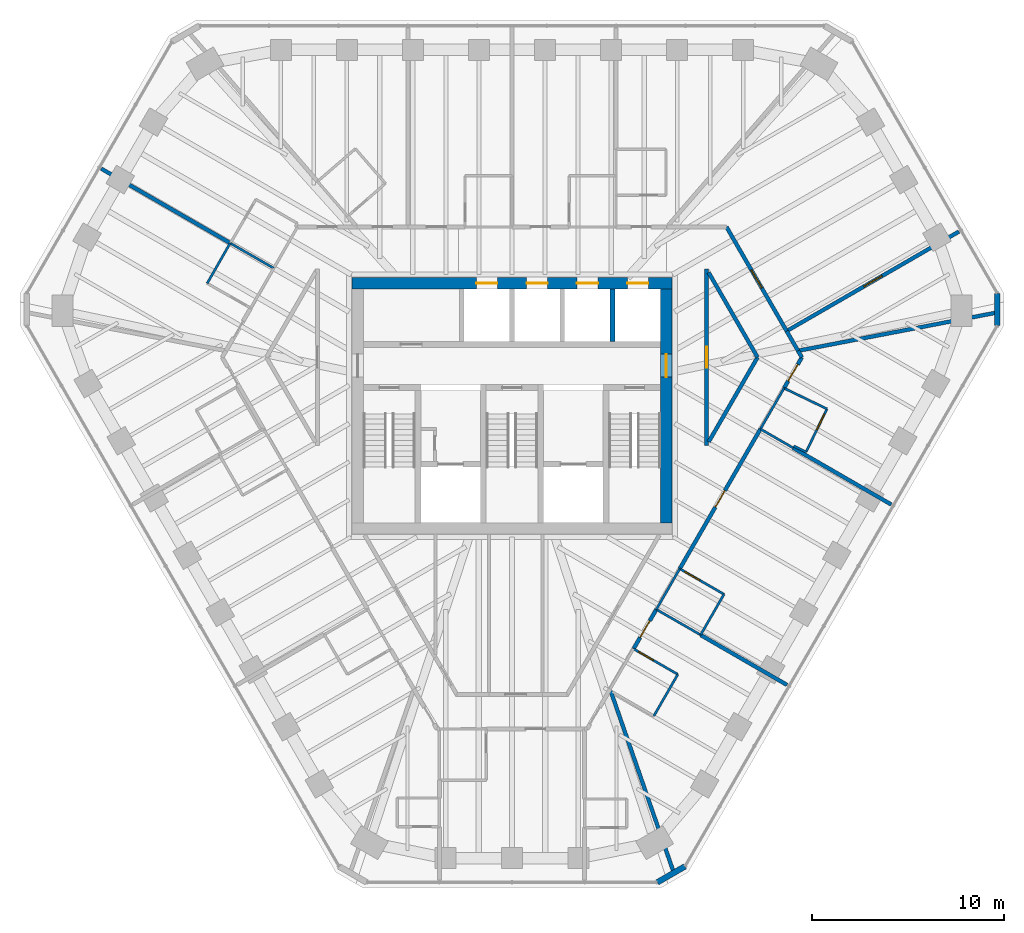
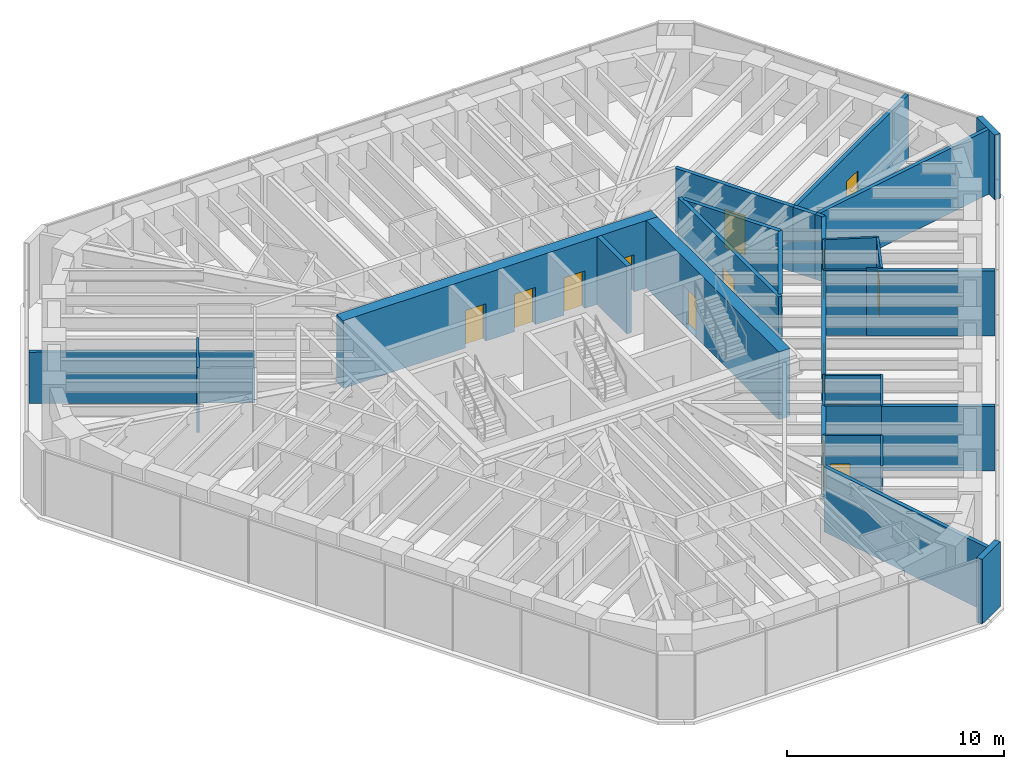
# One storey, part 11 of 14: 33 walls, 14 doors, 14 openings.
"""IFC4 building model written with IfcOpenShell, lengths in metres."""

from ifc_helpers import new_model, si_unit, direction, frame, frame_2d, origin, place, context, subcontext, project, spatial, rectangle, extrude, material, layer, layer_set, type_object, element, fill, save


model = new_model("IFC4")

# Units and contexts
model_context = context("Model", 3, precision=1e-05, world=origin(), true_north=direction((0.0, 1.0)))
body_context = subcontext(model_context, "Body", "Model", "MODEL_VIEW")
ifc_project = project(units=[si_unit("LENGTHUNIT", "METRE"), si_unit("AREAUNIT", "SQUARE_METRE"), si_unit("VOLUMEUNIT", "CUBIC_METRE"), si_unit("PLANEANGLEUNIT", "RADIAN"), si_unit("MASSUNIT", "GRAM", prefix="KILO")], contexts=[model_context])

# Site, building, storey
site_placement = place(None, origin())
site = spatial("IfcSite", under=ifc_project, at=site_placement, CompositionType="ELEMENT")
building_placement = place(site_placement, origin())
building = spatial("IfcBuilding", under=site, at=building_placement, Name="Sandreach Pilgrim Tower", CompositionType="ELEMENT")
storey_placement = place(building_placement, frame((0.0, 0.0, 291.199951171875)))
storey = spatial("IfcBuildingStorey", under=building, at=storey_placement, Name="L73", CompositionType="ELEMENT", Elevation=291.199951171875)

# Walls
ifc_material_1 = material(Name="Moisture-resistant gypsum board on steel studs", Category="steel")
ifc_layer_1 = layer(ifc_material_1, 0.1201171875)
ifc_layer_set_1 = layer_set([ifc_layer_1], Name="Bathroom partition 120")
wall_type_1 = type_object("IfcWallType", Name="Bathroom partition 120", PredefinedType="PARTITIONING", material=ifc_layer_set_1)
wall_1_placement = place(storey_placement, frame((-14.699951171875, 8.489990234375, 0.0), z_axis=(0.0, 0.0, 1.0), x_axis=(-0.496106327528, -0.868261776072, 0.0)))
element("IfcWall", 1, at=wall_1_placement, inside=storey, type_object=wall_type_1, Name="Bathroom partition L73-013", PredefinedType="PARTITIONING", context=body_context, shape_type="SweptSolid", body=[
    extrude(rectangle(XDim=2.418701171875, YDim=0.1201171875, at=frame_2d((1.20947265625, 0.0))), origin(), (0.0, 0.0, 1.0), 3.64013671875),
])
wall_2_placement = place(storey_placement, frame((-14.68994140625, 8.47998046875, 0.0), z_axis=(0.0, 0.0, 1.0), x_axis=(0.866816256489, -0.498627694264, 0.0)))
element("IfcWall", 2, at=wall_2_placement, inside=storey, type_object=wall_type_1, Name="Bathroom partition L73-014", PredefinedType="PARTITIONING", context=body_context, shape_type="SweptSolid", body=[
    extrude(rectangle(XDim=2.607177734375, YDim=0.1201171875, at=frame_2d((1.3037109375, 0.0))), origin(), (0.0, 0.0, 1.0), 2.8779296875),
])
wall_3_placement = place(storey_placement, frame((7.39990234375, -16.179931640625, 0.0), z_axis=(0.0, 0.0, 1.0), x_axis=(0.499159685399, 0.866510016372, 0.0)))
element("IfcWall", 3, at=wall_3_placement, inside=storey, type_object=wall_type_1, Name="Bathroom partition L73-091", PredefinedType="PARTITIONING", context=body_context, shape_type="SweptSolid", body=[
    extrude(rectangle(XDim=2.504150390625, YDim=0.1201171875, at=frame_2d((1.251953125, 0.0))), origin(), (0.0, 0.0, 1.0), 3.64013671875),
])
wall_4_placement = place(storey_placement, frame((7.530029296875, -10.6201171875, 0.0), z_axis=(0.0, 0.0, 1.0), x_axis=(0.498748634132, 0.866746675766, 0.0)))
element("IfcWall", 4, at=wall_4_placement, inside=storey, type_object=wall_type_1, Name="Bathroom partition L73-092", PredefinedType="PARTITIONING", context=body_context, shape_type="SweptSolid", body=[
    extrude(rectangle(XDim=2.446044921875, YDim=0.1201171875, at=frame_2d((1.22314453125, 0.0))), origin(), (0.0, 0.0, 1.0), 3.64013671875),
])
wall_5_placement = place(storey_placement, frame((7.530029296875, -10.6201171875, 0.0), z_axis=(0.0, 0.0, 1.0), x_axis=(0.866654860089, -0.498908161372, 0.0)))
element("IfcWall", 5, at=wall_5_placement, inside=storey, type_object=wall_type_1, Name="Bathroom partition L73-093", PredefinedType="PARTITIONING", context=body_context, shape_type="SweptSolid", body=[
    extrude(rectangle(XDim=2.66552734375, YDim=0.1201171875, at=frame_2d((1.332763671875, 0.0))), origin(), (0.0, 0.0, 1.0), 3.64013671875),
])

# Wall, opening, door
wall_6_placement = place(storey_placement, frame((8.64990234375, -14.010009765625, 0.0), z_axis=(0.0, 0.0, 1.0), x_axis=(-0.866592449628, 0.499016559092, 0.0)))
wall_6 = element("IfcWall", 6, at=wall_6_placement, inside=storey, type_object=wall_type_1, Name="Bathroom partition L73-099", PredefinedType="PARTITIONING", context=body_context, shape_type="SweptSolid", body=[
    extrude(rectangle(XDim=2.665283203125, YDim=0.1201171875, at=frame_2d((1.33251953125, 0.0))), origin(), (0.0, 0.0, 1.0), 3.64013671875),
])
opening_1_placement = place(wall_6_placement, frame((1.465576171875, 0.0, 0.0)))
opening_1 = element("IfcOpeningElement", 7, at=opening_1_placement, cuts=wall_6, Name="Opening D09-09B", PredefinedType="OPENING", context=body_context, shape_type="SweptSolid", body=[
    extrude(rectangle(XDim=0.89990234375, YDim=2.030029296875, at=frame_2d((0.449951171875, 1.01513671875))), frame((0.0, 0.06005859375, 0.0), z_axis=(0.0, -1.0, 0.0), x_axis=(1.0, 0.0, 0.0)), (0.0, 0.0, 1.0), 0.1201171875),
])
ifc_material_2 = material(Name="Timber door, steel frame", Category="steel")
door_type_1 = type_object("IfcDoorType", Name="Bathroom door", OperationType="SINGLE_SWING_LEFT", PredefinedType="DOOR", material=ifc_material_2)
door_1_placement = place(opening_1_placement, origin())
door_1 = element("IfcDoor", 8, at=door_1_placement, inside=storey, type_object=door_type_1, Name="Door 7309B", OperationType="SINGLE_SWING_RIGHT", OverallHeight=2.030029296875, OverallWidth=0.89990234375, PredefinedType="DOOR", context=body_context, shape_type="SweptSolid", body=[
    extrude(rectangle(XDim=0.89990234375, YDim=2.030029296875, at=frame_2d((0.449951171875, 1.01513671875))), frame((0.0, 0.02490234375, 0.0), z_axis=(0.0, -1.0, 0.0), x_axis=(1.0, 0.0, 0.0)), (0.0, 0.0, 1.0), 0.050048828125),
])
fill(opening_1, door_1)

# Wall
wall_7_placement = place(storey_placement, frame((9.840087890625, -11.949951171875, 0.0), z_axis=(0.0, 0.0, 1.0), x_axis=(0.498791783817, 0.866721844883, 0.0)))
element("IfcWall", 9, at=wall_7_placement, inside=storey, type_object=wall_type_1, Name="Bathroom partition L73-101", PredefinedType="PARTITIONING", context=body_context, shape_type="SweptSolid", body=[
    extrude(rectangle(XDim=2.44580078125, YDim=0.1201171875, at=frame_2d((1.222900390625, 0.0))), origin(), (0.0, 0.0, 1.0), 3.64013671875),
])

# Wall, opening, door
wall_8_placement = place(storey_placement, frame((11.06005859375, -9.830078125, 0.0), z_axis=(0.0, 0.0, 1.0), x_axis=(-0.866615255992, 0.498976951453, 0.0)))
wall_8 = element("IfcWall", 10, at=wall_8_placement, inside=storey, type_object=wall_type_1, Name="Bathroom partition L73-104", PredefinedType="PARTITIONING", context=body_context, shape_type="SweptSolid", body=[
    extrude(rectangle(XDim=2.66552734375, YDim=0.1201171875, at=frame_2d((1.332763671875, 0.0))), origin(), (0.0, 0.0, 1.0), 3.64013671875),
])
opening_2_placement = place(wall_8_placement, frame((1.465576171875, 0.0, 0.0)))
opening_2 = element("IfcOpeningElement", 11, at=opening_2_placement, cuts=wall_8, Name="Opening D09-08B", PredefinedType="OPENING", context=body_context, shape_type="SweptSolid", body=[
    extrude(rectangle(XDim=0.89990234375, YDim=2.030029296875, at=frame_2d((0.449951171875, 1.01513671875))), frame((0.0, 0.06005859375, 0.0), z_axis=(0.0, -1.0, 0.0), x_axis=(1.0, 0.0, 0.0)), (0.0, 0.0, 1.0), 0.1201171875),
])
door_2_placement = place(opening_2_placement, origin())
door_2 = element("IfcDoor", 12, at=door_2_placement, inside=storey, type_object=door_type_1, Name="Door 7308B", OperationType="SINGLE_SWING_RIGHT", OverallHeight=2.030029296875, OverallWidth=0.89990234375, PredefinedType="DOOR", context=body_context, shape_type="SweptSolid", body=[
    extrude(rectangle(XDim=0.89990234375, YDim=2.030029296875, at=frame_2d((0.449951171875, 1.01513671875))), frame((0.0, 0.02490234375, 0.0), z_axis=(0.0, -1.0, 0.0), x_axis=(1.0, 0.0, 0.0)), (0.0, 0.0, 1.0), 0.050048828125),
])
fill(opening_2, door_2)

# Walls
wall_9_placement = place(storey_placement, frame((12.958984375, -1.20947265625, 0.0), z_axis=(0.0, 0.0, 1.0), x_axis=(0.500472725713, 0.865752303385, 0.0)))
element("IfcWall", 13, at=wall_9_placement, inside=storey, type_object=wall_type_1, Name="Bathroom partition L73-108", PredefinedType="PARTITIONING", context=body_context, shape_type="SweptSolid", body=[
    extrude(rectangle(XDim=2.45947265625, YDim=0.1201171875, at=frame_2d((1.229736328125, 0.0))), origin(), (0.0, 0.0, 1.0), 3.64013671875),
])
wall_10_placement = place(storey_placement, frame((12.9599609375, -1.2099609375, 0.0), z_axis=(0.0, 0.0, 1.0), x_axis=(0.866075784294, -0.499912728242, 0.0)))
element("IfcWall", 14, at=wall_10_placement, inside=storey, type_object=wall_type_1, Name="Bathroom partition L73-109", PredefinedType="PARTITIONING", context=body_context, shape_type="SweptSolid", body=[
    extrude(rectangle(XDim=1.962158203125, YDim=0.1201171875, at=frame_2d((0.98095703125, 0.0))), origin(), (0.0, 0.0, 1.0), 3.64013671875),
])
wall_11_placement = place(storey_placement, frame((14.699951171875, -2.10009765625, 0.0), z_axis=(0.0, 0.0, 1.0), x_axis=(0.900120171182, -0.43564168468, 0.0)))
element("IfcWall", 15, at=wall_11_placement, inside=storey, type_object=wall_type_1, Name="Bathroom partition L73-114", PredefinedType="PARTITIONING", context=body_context, shape_type="SweptSolid", body=[
    extrude(rectangle(XDim=0.711181640625, YDim=0.1201171875, at=frame_2d((0.35546875, 0.0))), origin(), (0.0, 0.0, 1.0), 3.64013671875),
])

# Wall, opening, door
wall_12_placement = place(storey_placement, frame((15.340087890625, -2.409912109375, 0.0), z_axis=(0.0, 0.0, 1.0), x_axis=(0.435928453727, 0.899981323824, 0.0)))
wall_12 = element("IfcWall", 16, at=wall_12_placement, inside=storey, type_object=wall_type_1, Name="Bathroom partition L73-116", PredefinedType="PARTITIONING", context=body_context, shape_type="SweptSolid", body=[
    extrude(rectangle(XDim=2.5, YDim=0.1201171875, at=frame_2d((1.25, 0.0))), origin(), (0.0, 0.0, 1.0), 3.64013671875),
])
opening_3_placement = place(wall_12_placement, frame((1.300048828125, 0.0, 0.0)))
opening_3 = element("IfcOpeningElement", 17, at=opening_3_placement, cuts=wall_12, Name="Opening D09-07B", PredefinedType="OPENING", context=body_context, shape_type="SweptSolid", body=[
    extrude(rectangle(XDim=0.89990234375, YDim=2.030029296875, at=frame_2d((0.449951171875, 1.01513671875))), frame((0.0, 0.06005859375, 0.0), z_axis=(0.0, -1.0, 0.0), x_axis=(1.0, 0.0, 0.0)), (0.0, 0.0, 1.0), 0.1201171875),
])
door_3_placement = place(opening_3_placement, origin())
door_3 = element("IfcDoor", 18, at=door_3_placement, inside=storey, type_object=door_type_1, Name="Door 7307B", OperationType="SINGLE_SWING_RIGHT", OverallHeight=2.030029296875, OverallWidth=0.89990234375, PredefinedType="DOOR", context=body_context, shape_type="SweptSolid", body=[
    extrude(rectangle(XDim=0.89990234375, YDim=2.030029296875, at=frame_2d((0.449951171875, 1.01513671875))), frame((0.0, 0.02490234375, 0.0), z_axis=(0.0, -1.0, 0.0), x_axis=(1.0, 0.0, 0.0)), (0.0, 0.0, 1.0), 0.050048828125),
])
fill(opening_3, door_3)

# Wall
wall_13_placement = place(storey_placement, frame((16.429931640625, -0.159912109375, 0.0), z_axis=(0.0, 0.0, 1.0), x_axis=(-0.900794056548, 0.434246551729, 0.0)))
element("IfcWall", 19, at=wall_13_placement, inside=storey, type_object=wall_type_1, Name="Bathroom partition L73-117", PredefinedType="PARTITIONING", context=body_context, shape_type="SweptSolid", body=[
    extrude(rectangle(XDim=2.486572265625, YDim=0.1201171875, at=frame_2d((1.2431640625, 0.0))), origin(), (0.0, 0.0, 1.0), 3.64013671875),
])

# Wall, openings, doors
ifc_material_3 = material(Name="Concrete 10000 psi", Category="concrete")
ifc_layer_2 = layer(ifc_material_3, 0.60009765625)
ifc_layer_set_2 = layer_set([ifc_layer_2], Name="Core wall 600")
wall_type_2 = type_object("IfcWallType", Name="Core wall 600", PredefinedType="SHEAR", material=ifc_layer_set_2)
wall_14_placement = place(storey_placement, frame((-8.35009765625, 6.39990234375, 0.0), z_axis=(0.0, 0.0, 1.0), x_axis=(1.0, 0.0, 0.0)))
wall_14 = element("IfcWall", 20, at=wall_14_placement, inside=storey, type_object=wall_type_2, Name="Core wall N L73", PredefinedType="SHEAR", context=body_context, shape_type="SweptSolid", body=[
    extrude(rectangle(XDim=16.7001953125, YDim=0.60009765625, at=frame_2d((8.35009765625, 0.0))), origin(), (0.0, 0.0, 1.0), 3.800048828125),
])
opening_4_placement = place(wall_14_placement, frame((6.487548828125, 0.0, 0.0)))
opening_4 = element("IfcOpeningElement", 21, at=opening_4_placement, cuts=wall_14, Name="Opening LD11", PredefinedType="OPENING", context=body_context, shape_type="SweptSolid", body=[
    extrude(rectangle(XDim=1.10009765625, YDim=2.10009765625, at=frame_2d((0.550048828125, 1.050048828125))), frame((0.0, 0.300048828125, 0.0), z_axis=(0.0, -1.0, 0.0), x_axis=(1.0, 0.0, 0.0)), (0.0, 0.0, 1.0), 0.60009765625),
])
opening_5_placement = place(wall_14_placement, frame((9.112548828125, 0.0, 0.0)))
opening_5 = element("IfcOpeningElement", 22, at=opening_5_placement, cuts=wall_14, Name="Opening LD11", PredefinedType="OPENING", context=body_context, shape_type="SweptSolid", body=[
    extrude(rectangle(XDim=1.10009765625, YDim=2.10009765625, at=frame_2d((0.550048828125, 1.050048828125))), frame((0.0, 0.300048828125, 0.0), z_axis=(0.0, -1.0, 0.0), x_axis=(1.0, 0.0, 0.0)), (0.0, 0.0, 1.0), 0.60009765625),
])
opening_6_placement = place(wall_14_placement, frame((11.737548828125, 0.0, 0.0)))
opening_6 = element("IfcOpeningElement", 23, at=opening_6_placement, cuts=wall_14, Name="Opening LD11", PredefinedType="OPENING", context=body_context, shape_type="SweptSolid", body=[
    extrude(rectangle(XDim=1.10009765625, YDim=2.10009765625, at=frame_2d((0.550048828125, 1.050048828125))), frame((0.0, 0.300048828125, 0.0), z_axis=(0.0, -1.0, 0.0), x_axis=(1.0, 0.0, 0.0)), (0.0, 0.0, 1.0), 0.60009765625),
])
opening_7_placement = place(wall_14_placement, frame((14.362548828125, 0.0, 0.0)))
opening_7 = element("IfcOpeningElement", 24, at=opening_7_placement, cuts=wall_14, Name="Opening LD11", PredefinedType="OPENING", context=body_context, shape_type="SweptSolid", body=[
    extrude(rectangle(XDim=1.10009765625, YDim=2.10009765625, at=frame_2d((0.550048828125, 1.050048828125))), frame((0.0, 0.300048828125, 0.0), z_axis=(0.0, -1.0, 0.0), x_axis=(1.0, 0.0, 0.0)), (0.0, 0.0, 1.0), 0.60009765625),
])
ifc_material_4 = material(Name="Steel door and frame", Category="steel")
door_type_2 = type_object("IfcDoorType", Name="Lift landing door", OperationType="DOUBLE_DOOR_SLIDING", PredefinedType="DOOR", material=ifc_material_4)
door_4_placement = place(opening_4_placement, origin())
door_4 = element("IfcDoor", 25, at=door_4_placement, inside=storey, type_object=door_type_2, Name="Lift landing door Z3A L73", OperationType="DOUBLE_DOOR_SLIDING", OverallHeight=2.10009765625, OverallWidth=1.10009765625, PredefinedType="DOOR", context=body_context, shape_type="SweptSolid", body=[
    extrude(rectangle(XDim=1.10009765625, YDim=2.10009765625, at=frame_2d((0.550048828125, 1.050048828125))), frame((0.0, 0.02490234375, 0.0), z_axis=(0.0, -1.0, 0.0), x_axis=(1.0, 0.0, 0.0)), (0.0, 0.0, 1.0), 0.050048828125),
])
fill(opening_4, door_4)
door_5_placement = place(opening_5_placement, origin())
door_5 = element("IfcDoor", 26, at=door_5_placement, inside=storey, type_object=door_type_2, Name="Lift landing door Z3B L73", OperationType="DOUBLE_DOOR_SLIDING", OverallHeight=2.10009765625, OverallWidth=1.10009765625, PredefinedType="DOOR", context=body_context, shape_type="SweptSolid", body=[
    extrude(rectangle(XDim=1.10009765625, YDim=2.10009765625, at=frame_2d((0.550048828125, 1.050048828125))), frame((0.0, 0.02490234375, 0.0), z_axis=(0.0, -1.0, 0.0), x_axis=(1.0, 0.0, 0.0)), (0.0, 0.0, 1.0), 0.050048828125),
])
fill(opening_5, door_5)
door_6_placement = place(opening_6_placement, origin())
door_6 = element("IfcDoor", 27, at=door_6_placement, inside=storey, type_object=door_type_2, Name="Lift landing door Z3C L73", OperationType="DOUBLE_DOOR_SLIDING", OverallHeight=2.10009765625, OverallWidth=1.10009765625, PredefinedType="DOOR", context=body_context, shape_type="SweptSolid", body=[
    extrude(rectangle(XDim=1.10009765625, YDim=2.10009765625, at=frame_2d((0.550048828125, 1.050048828125))), frame((0.0, 0.02490234375, 0.0), z_axis=(0.0, -1.0, 0.0), x_axis=(1.0, 0.0, 0.0)), (0.0, 0.0, 1.0), 0.050048828125),
])
fill(opening_6, door_6)
door_7_placement = place(opening_7_placement, origin())
door_7 = element("IfcDoor", 28, at=door_7_placement, inside=storey, type_object=door_type_2, Name="Lift landing door Z3D L73", OperationType="DOUBLE_DOOR_SLIDING", OverallHeight=2.10009765625, OverallWidth=1.10009765625, PredefinedType="DOOR", context=body_context, shape_type="SweptSolid", body=[
    extrude(rectangle(XDim=1.10009765625, YDim=2.10009765625, at=frame_2d((0.550048828125, 1.050048828125))), frame((0.0, 0.02490234375, 0.0), z_axis=(0.0, -1.0, 0.0), x_axis=(1.0, 0.0, 0.0)), (0.0, 0.0, 1.0), 0.050048828125),
])
fill(opening_7, door_7)

# Wall, opening, door
wall_15_placement = place(storey_placement, frame((8.050048828125, -6.10009765625, 0.0), z_axis=(0.0, 0.0, 1.0), x_axis=(0.0, 1.0, 0.0)))
wall_15 = element("IfcWall", 29, at=wall_15_placement, inside=storey, type_object=wall_type_2, Name="Core wall E L73", PredefinedType="SHEAR", context=body_context, shape_type="SweptSolid", body=[
    extrude(rectangle(XDim=12.2001953125, YDim=0.60009765625, at=frame_2d((6.10009765625, 0.0))), origin(), (0.0, 0.0, 1.0), 3.800048828125),
])
opening_8_placement = place(wall_15_placement, frame((7.60009765625, 0.0, 0.0)))
opening_8 = element("IfcOpeningElement", 30, at=opening_8_placement, cuts=wall_15, Name="Opening D12F-E", PredefinedType="OPENING", context=body_context, shape_type="SweptSolid", body=[
    extrude(rectangle(XDim=1.199951171875, YDim=2.199951171875, at=frame_2d((0.60009765625, 1.10009765625))), frame((0.0, 0.300048828125, 0.0), z_axis=(0.0, -1.0, 0.0), x_axis=(1.0, 0.0, 0.0)), (0.0, 0.0, 1.0), 0.60009765625),
])
ifc_material_5 = material(Name="Steel door and frame", Category="steel")
door_type_3 = type_object("IfcDoorType", Name="Fire lobby door", OperationType="SINGLE_SWING_LEFT", PredefinedType="DOOR", material=ifc_material_5)
door_8_placement = place(opening_8_placement, origin())
door_8 = element("IfcDoor", 31, at=door_8_placement, inside=storey, type_object=door_type_3, Name="Fire service lobby door E L73", OperationType="SINGLE_SWING_RIGHT", OverallHeight=2.199951171875, OverallWidth=1.199951171875, PredefinedType="DOOR", context=body_context, shape_type="SweptSolid", body=[
    extrude(rectangle(XDim=1.199951171875, YDim=2.199951171875, at=frame_2d((0.60009765625, 1.10009765625))), frame((0.0, 0.02490234375, 0.0), z_axis=(0.0, -1.0, 0.0), x_axis=(1.0, 0.0, 0.0)), (0.0, 0.0, 1.0), 0.050048828125),
])
fill(opening_8, door_8)

ifc_material_6 = material(Name="Gypsum board on steel studs, two layers each side", Category="steel")
ifc_layer_3 = layer(ifc_material_6, 0.199951171875)
ifc_layer_set_3 = layer_set([ifc_layer_3], Name="Corridor wall 200")
wall_type_3 = type_object("IfcWallType", Name="Corridor wall 200", PredefinedType="PARTITIONING", material=ifc_layer_set_3)
wall_16_placement = place(storey_placement, frame((6.340087890625, -12.679931640625, 0.0), z_axis=(0.0, 0.0, 1.0), x_axis=(0.500222880675, 0.865896685321, 0.0)))
wall_16 = element("IfcWall", 32, at=wall_16_placement, inside=storey, type_object=wall_type_3, Name="Corridor wall L73-090", PredefinedType="PARTITIONING", context=body_context, shape_type="SweptSolid", body=[
    extrude(rectangle(XDim=2.37890625, YDim=0.199951171875, at=frame_2d((1.189453125, 0.0))), origin(), (0.0, 0.0, 1.0), 3.64013671875),
])
opening_9_placement = place(wall_16_placement, frame((0.689453125, 0.0, 0.0)))
opening_9 = element("IfcOpeningElement", 33, at=opening_9_placement, cuts=wall_16, Name="Opening D10-09", PredefinedType="OPENING", context=body_context, shape_type="SweptSolid", body=[
    extrude(rectangle(XDim=1.0, YDim=2.1298828125, at=frame_2d((0.5, 1.06494140625))), frame((0.0, 0.10009765625, 0.0), z_axis=(0.0, -1.0, 0.0), x_axis=(1.0, 0.0, 0.0)), (0.0, 0.0, 1.0), 0.199951171875),
])
ifc_material_7 = material(Name="Steel door and frame", Category="steel")
door_type_4 = type_object("IfcDoorType", Name="Guest room entry door", OperationType="SINGLE_SWING_LEFT", PredefinedType="DOOR", material=ifc_material_7)
door_9_placement = place(opening_9_placement, origin())
door_9 = element("IfcDoor", 34, at=door_9_placement, inside=storey, type_object=door_type_4, Name="Door 7309", OperationType="SINGLE_SWING_LEFT", OverallHeight=2.1298828125, OverallWidth=1.0, PredefinedType="DOOR", context=body_context, shape_type="SweptSolid", body=[
    extrude(rectangle(XDim=1.0, YDim=2.1298828125, at=frame_2d((0.5, 1.06494140625))), frame((0.0, 0.02490234375, 0.0), z_axis=(0.0, -1.0, 0.0), x_axis=(1.0, 0.0, 0.0)), (0.0, 0.0, 1.0), 0.050048828125),
])
fill(opening_9, door_9)

wall_17_placement = place(storey_placement, frame((8.75, -8.5, 0.0), z_axis=(0.0, 0.0, 1.0), x_axis=(0.500093981358, 0.865971136822, 0.0)))
wall_17 = element("IfcWall", 35, at=wall_17_placement, inside=storey, type_object=wall_type_3, Name="Corridor wall L73-100", PredefinedType="PARTITIONING", context=body_context, shape_type="SweptSolid", body=[
    extrude(rectangle(XDim=8.41845703125, YDim=0.199951171875, at=frame_2d((4.209228515625, 0.0))), origin(), (0.0, 0.0, 1.0), 3.64013671875),
])
opening_10_placement = place(wall_17_placement, frame((3.709228515625, 0.0, 0.0)))
opening_10 = element("IfcOpeningElement", 36, at=opening_10_placement, cuts=wall_17, Name="Opening D10-08", PredefinedType="OPENING", context=body_context, shape_type="SweptSolid", body=[
    extrude(rectangle(XDim=1.0, YDim=2.1298828125, at=frame_2d((0.5, 1.06494140625))), frame((0.0, 0.10009765625, 0.0), z_axis=(0.0, -1.0, 0.0), x_axis=(1.0, 0.0, 0.0)), (0.0, 0.0, 1.0), 0.199951171875),
])
door_10_placement = place(opening_10_placement, origin())
door_10 = element("IfcDoor", 37, at=door_10_placement, inside=storey, type_object=door_type_4, Name="Door 7308", OperationType="SINGLE_SWING_LEFT", OverallHeight=2.1298828125, OverallWidth=1.0, PredefinedType="DOOR", context=body_context, shape_type="SweptSolid", body=[
    extrude(rectangle(XDim=1.0, YDim=2.1298828125, at=frame_2d((0.5, 1.06494140625))), frame((0.0, 0.02490234375, 0.0), z_axis=(0.0, -1.0, 0.0), x_axis=(1.0, 0.0, 0.0)), (0.0, 0.0, 1.0), 0.050048828125),
])
fill(opening_10, door_10)

wall_18_placement = place(storey_placement, frame((10.14990234375, -2.070068359375, 0.0), z_axis=(0.0, 0.0, 1.0), x_axis=(0.0, 1.0, 0.0)))
wall_18 = element("IfcWall", 38, at=wall_18_placement, inside=storey, type_object=wall_type_3, Name="Corridor wall L73-102", PredefinedType="PARTITIONING", context=body_context, shape_type="SweptSolid", body=[
    extrude(rectangle(XDim=9.2099609375, YDim=0.199951171875, at=frame_2d((4.60498046875, 0.0))), origin(), (0.0, 0.0, 1.0), 3.64013671875),
])
opening_11_placement = place(wall_18_placement, frame((4.054931640625, 0.0, 0.0)))
opening_11 = element("IfcOpeningElement", 39, at=opening_11_placement, cuts=wall_18, Name="Opening D11H-M2", PredefinedType="OPENING", context=body_context, shape_type="SweptSolid", body=[
    extrude(rectangle(XDim=1.10009765625, YDim=2.199951171875, at=frame_2d((0.550048828125, 1.10009765625))), frame((0.0, 0.10009765625, 0.0), z_axis=(0.0, -1.0, 0.0), x_axis=(1.0, 0.0, 0.0)), (0.0, 0.0, 1.0), 0.199951171875),
])
ifc_material_8 = material(Name="Steel door and frame", Category="steel")
door_type_5 = type_object("IfcDoorType", Name="Back of house door", OperationType="SINGLE_SWING_LEFT", PredefinedType="DOOR", material=ifc_material_8)
door_11_placement = place(opening_11_placement, origin())
door_11 = element("IfcDoor", 40, at=door_11_placement, inside=storey, type_object=door_type_5, Name="Door 73M2", OperationType="SINGLE_SWING_LEFT", OverallHeight=2.199951171875, OverallWidth=1.10009765625, PredefinedType="DOOR", context=body_context, shape_type="SweptSolid", body=[
    extrude(rectangle(XDim=1.10009765625, YDim=2.199951171875, at=frame_2d((0.550048828125, 1.10009765625))), frame((0.0, 0.02490234375, 0.0), z_axis=(0.0, -1.0, 0.0), x_axis=(1.0, 0.0, 0.0)), (0.0, 0.0, 1.0), 0.050048828125),
])
fill(opening_11, door_11)

# Wall
wall_19_placement = place(storey_placement, frame((10.2548828125, 6.9580078125, 0.0), z_axis=(0.0, 0.0, 1.0), x_axis=(0.499806513108, -0.866137084678, 0.0)))
element("IfcWall", 41, at=wall_19_placement, inside=storey, type_object=wall_type_3, Name="Corridor wall L73-103", PredefinedType="PARTITIONING", context=body_context, shape_type="SweptSolid", body=[
    extrude(rectangle(XDim=5.1123046875, YDim=0.199951171875, at=frame_2d((2.55615234375, 0.0))), origin(), (0.0, 0.0, 1.0), 3.64013671875),
])

# Wall, opening, door
wall_20_placement = place(storey_placement, frame((11.18994140625, 9.330078125, 0.0), z_axis=(0.0, 0.0, 1.0), x_axis=(0.500328823945, -0.865835473938, 0.0)))
wall_20 = element("IfcWall", 42, at=wall_20_placement, inside=storey, type_object=wall_type_3, Name="Corridor wall L73-106", PredefinedType="PARTITIONING", context=body_context, shape_type="SweptSolid", body=[
    extrude(rectangle(XDim=6.272705078125, YDim=0.199951171875, at=frame_2d((3.13623046875, 0.0))), origin(), (0.0, 0.0, 1.0), 3.64013671875),
])
opening_12_placement = place(wall_20_placement, frame((2.586181640625, 0.0, 0.0)))
opening_12 = element("IfcOpeningElement", 43, at=opening_12_placement, cuts=wall_20, Name="Opening D11H-05", PredefinedType="OPENING", context=body_context, shape_type="SweptSolid", body=[
    extrude(rectangle(XDim=1.10009765625, YDim=2.199951171875, at=frame_2d((0.550048828125, 1.10009765625))), frame((0.0, 0.10009765625, 0.0), z_axis=(0.0, -1.0, 0.0), x_axis=(1.0, 0.0, 0.0)), (0.0, 0.0, 1.0), 0.199951171875),
])
door_12_placement = place(opening_12_placement, origin())
door_12 = element("IfcDoor", 44, at=door_12_placement, inside=storey, type_object=door_type_5, Name="Door 7305", OperationType="SINGLE_SWING_LEFT", OverallHeight=2.199951171875, OverallWidth=1.10009765625, PredefinedType="DOOR", context=body_context, shape_type="SweptSolid", body=[
    extrude(rectangle(XDim=1.10009765625, YDim=2.199951171875, at=frame_2d((0.550048828125, 1.10009765625))), frame((0.0, 0.02490234375, 0.0), z_axis=(0.0, -1.0, 0.0), x_axis=(1.0, 0.0, 0.0)), (0.0, 0.0, 1.0), 0.050048828125),
])
fill(opening_12, door_12)

# Wall
wall_21_placement = place(storey_placement, frame((12.81005859375, 2.530029296875, 0.0), z_axis=(0.0, 0.0, 1.0), x_axis=(-0.500571425319, -0.865695239766, 0.0)))
element("IfcWall", 45, at=wall_21_placement, inside=storey, type_object=wall_type_3, Name="Corridor wall L73-107", PredefinedType="PARTITIONING", context=body_context, shape_type="SweptSolid", body=[
    extrude(rectangle(XDim=5.09375, YDim=0.199951171875, at=frame_2d((2.546875, 0.0))), origin(), (0.0, 0.0, 1.0), 3.64013671875),
])

# Wall, opening, door
wall_22_placement = place(storey_placement, frame((14.18994140625, 0.919921875, 0.0), z_axis=(0.0, 0.0, 1.0), x_axis=(0.500233848448, 0.865890349217, 0.0)))
wall_22 = element("IfcWall", 46, at=wall_22_placement, inside=storey, type_object=wall_type_3, Name="Corridor wall L73-110", PredefinedType="PARTITIONING", context=body_context, shape_type="SweptSolid", body=[
    extrude(rectangle(XDim=1.859375, YDim=0.199951171875, at=frame_2d((0.9296875, 0.0))), origin(), (0.0, 0.0, 1.0), 3.64013671875),
])
opening_13_placement = place(wall_22_placement, frame((0.4296875, 0.0, 0.0)))
opening_13 = element("IfcOpeningElement", 47, at=opening_13_placement, cuts=wall_22, Name="Opening D10-07", PredefinedType="OPENING", context=body_context, shape_type="SweptSolid", body=[
    extrude(rectangle(XDim=1.0, YDim=2.1298828125, at=frame_2d((0.5, 1.06494140625))), frame((0.0, 0.10009765625, 0.0), z_axis=(0.0, -1.0, 0.0), x_axis=(1.0, 0.0, 0.0)), (0.0, 0.0, 1.0), 0.199951171875),
])
door_13_placement = place(opening_13_placement, origin())
door_13 = element("IfcDoor", 48, at=door_13_placement, inside=storey, type_object=door_type_4, Name="Door 7307", OperationType="SINGLE_SWING_LEFT", OverallHeight=2.1298828125, OverallWidth=1.0, PredefinedType="DOOR", context=body_context, shape_type="SweptSolid", body=[
    extrude(rectangle(XDim=1.0, YDim=2.1298828125, at=frame_2d((0.5, 1.06494140625))), frame((0.0, 0.02490234375, 0.0), z_axis=(0.0, -1.0, 0.0), x_axis=(1.0, 0.0, 0.0)), (0.0, 0.0, 1.0), 0.050048828125),
])
fill(opening_13, door_13)

# Walls
wall_23_placement = place(storey_placement, frame((14.328369140625, 3.89892578125, 0.0), z_axis=(0.0, 0.0, 1.0), x_axis=(0.498463393977, -0.866910747923, 0.0)))
element("IfcWall", 49, at=wall_23_placement, inside=storey, type_object=wall_type_3, Name="Corridor wall L73-111", PredefinedType="PARTITIONING", context=body_context, shape_type="SweptSolid", body=[
    extrude(rectangle(XDim=1.186767578125, YDim=0.199951171875, at=frame_2d((0.59326171875, 0.0))), origin(), (0.0, 0.0, 1.0), 3.64013671875),
])
wall_24_placement = place(storey_placement, frame((14.919921875, 2.8701171875, 0.0), z_axis=(0.0, 0.0, 1.0), x_axis=(0.507290461451, -0.861775137562, 0.0)))
element("IfcWall", 50, at=wall_24_placement, inside=storey, type_object=wall_type_3, Name="Corridor wall L73-115", PredefinedType="PARTITIONING", context=body_context, shape_type="SweptSolid", body=[
    extrude(rectangle(XDim=0.39453125, YDim=0.199951171875, at=frame_2d((0.197265625, 0.0))), origin(), (0.0, 0.0, 1.0), 3.64013671875),
])
ifc_material_9 = material(Name="Double steel stud acoustic wall, gypsum board", Category="steel")
ifc_layer_4 = layer(ifc_material_9, 0.199951171875)
ifc_layer_set_4 = layer_set([ifc_layer_4], Name="Party wall 200")
wall_type_4 = type_object("IfcWallType", Name="Party wall 200", PredefinedType="PARTITIONING", material=ifc_layer_set_4)
wall_25_placement = place(storey_placement, frame((-21.426025390625, 12.3701171875, 0.0), z_axis=(0.0, 0.0, 1.0), x_axis=(0.866202335538, -0.499693419917, 0.0)))
element("IfcWall", 51, at=wall_25_placement, inside=storey, type_object=wall_type_4, Name="Party wall L73-002", PredefinedType="PARTITIONING", context=body_context, shape_type="SweptSolid", body=[
    extrude(rectangle(XDim=7.76513671875, YDim=0.199951171875, at=frame_2d((3.882568359375, 0.0))), origin(), (0.0, 0.0, 1.0), 2.8779296875),
])
wall_26_placement = place(storey_placement, frame((8.4501953125, -24.381591796875, 0.0), z_axis=(0.0, 0.0, 1.0), x_axis=(-0.328108256954, 0.944640128154, 0.0)))
element("IfcWall", 52, at=wall_26_placement, inside=storey, type_object=wall_type_4, Name="Party wall L73-098", PredefinedType="PARTITIONING", context=body_context, shape_type="SweptSolid", body=[
    extrude(rectangle(XDim=10.05859375, YDim=0.199951171875, at=frame_2d((5.029296875, 0.0))), origin(), (0.0, 0.0, 1.0), 3.64013671875),
])
wall_27_placement = place(storey_placement, frame((14.34619140625, -14.56005859375, 0.0), z_axis=(0.0, 0.0, 1.0), x_axis=(-0.86575990496, 0.500459575754, 0.0)))
element("IfcWall", 53, at=wall_27_placement, inside=storey, type_object=wall_type_4, Name="Party wall L73-112", PredefinedType="PARTITIONING", context=body_context, shape_type="SweptSolid", body=[
    extrude(rectangle(XDim=5.20751953125, YDim=0.199951171875, at=frame_2d((2.603759765625, 0.0))), origin(), (0.0, 0.0, 1.0), 3.64013671875),
])
wall_28_placement = place(storey_placement, frame((14.659423828125, -2.19091796875, 0.0), z_axis=(0.0, 0.0, 1.0), x_axis=(0.866075017274, -0.499914057068, 0.0)))
element("IfcWall", 54, at=wall_28_placement, inside=storey, type_object=wall_type_4, Name="Party wall L73-113", PredefinedType="PARTITIONING", context=body_context, shape_type="SweptSolid", body=[
    extrude(rectangle(XDim=5.91943359375, YDim=0.199951171875, at=frame_2d((2.959716796875, 0.0))), origin(), (0.0, 0.0, 1.0), 3.64013671875),
])

# Wall, opening, door
wall_29_placement = place(storey_placement, frame((23.316162109375, 9.090087890625, 0.0), z_axis=(0.0, 0.0, 1.0), x_axis=(-0.865947121586, -0.50013556424, 0.0)))
wall_29 = element("IfcWall", 55, at=wall_29_placement, inside=storey, type_object=wall_type_4, Name="Party wall L73-119", PredefinedType="PARTITIONING", context=body_context, shape_type="SweptSolid", body=[
    extrude(rectangle(XDim=10.3671875, YDim=0.199951171875, at=frame_2d((5.18359375, 0.0))), origin(), (0.0, 0.0, 1.0), 3.64013671875),
])
opening_14_placement = place(wall_29_placement, frame((4.633544921875, 0.0, 0.0)))
opening_14 = element("IfcOpeningElement", 56, at=opening_14_placement, cuts=wall_29, Name="Opening D11H-06", PredefinedType="OPENING", context=body_context, shape_type="SweptSolid", body=[
    extrude(rectangle(XDim=1.10009765625, YDim=2.199951171875, at=frame_2d((0.550048828125, 1.10009765625))), frame((0.0, 0.10009765625, 0.0), z_axis=(0.0, -1.0, 0.0), x_axis=(1.0, 0.0, 0.0)), (0.0, 0.0, 1.0), 0.199951171875),
])
door_14_placement = place(opening_14_placement, origin())
door_14 = element("IfcDoor", 57, at=door_14_placement, inside=storey, type_object=door_type_5, Name="Door 7306", OperationType="SINGLE_SWING_LEFT", OverallHeight=2.199951171875, OverallWidth=1.10009765625, PredefinedType="DOOR", context=body_context, shape_type="SweptSolid", body=[
    extrude(rectangle(XDim=1.10009765625, YDim=2.199951171875, at=frame_2d((0.550048828125, 1.10009765625))), frame((0.0, 0.02490234375, 0.0), z_axis=(0.0, -1.0, 0.0), x_axis=(1.0, 0.0, 0.0)), (0.0, 0.0, 1.0), 0.050048828125),
])
fill(opening_14, door_14)

# Walls
wall_30_placement = place(storey_placement, frame((25.340576171875, 4.874267578125, 0.0), z_axis=(0.0, 0.0, 1.0), x_axis=(-0.982001168061, -0.188874841966, 0.0)))
element("IfcWall", 58, at=wall_30_placement, inside=storey, type_object=wall_type_4, Name="Party wall L73-120", PredefinedType="PARTITIONING", context=body_context, shape_type="SweptSolid", body=[
    extrude(rectangle(XDim=10.556640625, YDim=0.199951171875, at=frame_2d((5.2783203125, 0.0))), origin(), (0.0, 0.0, 1.0), 3.64013671875),
])
ifc_material_10 = material(Name="Gypsum shaft wall on steel studs, two layers of shaft liner board", Category="steel")
ifc_layer_5 = layer(ifc_material_10, 0.25)
ifc_layer_set_5 = layer_set([ifc_layer_5], Name="Shaft partition 250")
wall_type_5 = type_object("IfcWallType", Name="Shaft partition 250", PredefinedType="PARTITIONING", material=ifc_layer_set_5)
wall_31_placement = place(storey_placement, frame((5.25, 3.35009765625, 0.0), z_axis=(0.0, 0.0, 1.0), x_axis=(0.0, 1.0, 0.0)))
element("IfcWall", 59, at=wall_31_placement, inside=storey, type_object=wall_type_5, Name="Shaft partition NS4 L73", PredefinedType="PARTITIONING", context=body_context, shape_type="SweptSolid", body=[
    extrude(rectangle(XDim=2.75, YDim=0.25, at=frame_2d((1.375, 0.0))), origin(), (0.0, 0.0, 1.0), 3.800048828125),
])
ifc_material_11 = material(Name="Terracotta rainscreen on concrete", Category="masonry")
ifc_layer_6 = layer(ifc_material_11, 0.300048828125)
ifc_layer_set_6 = layer_set([ifc_layer_6], Name="Terracotta chamfer pier")
wall_type_6 = type_object("IfcWallType", Name="Terracotta chamfer pier", PredefinedType="SOLIDWALL", material=ifc_layer_set_6)
for number, where, z_axis, x_axis, name in (
    (60, (25.3193359375, 5.861572265625, 0.0), (0.0, 0.0, 1.0), (0.0, -1.0, 0.0), "Chamfer pier L73 NE"),
    (61, (9.02099609375, -24.028076171875, 0.0), (0.0, 0.0, 1.0), (-0.865989634427, -0.500061949227, 0.0), "Chamfer pier L73 SE"),
):
    element("IfcWall", number, at=place(storey_placement, frame(where, z_axis=z_axis, x_axis=x_axis)), inside=storey, type_object=wall_type_6, Name=name, PredefinedType="SOLIDWALL", context=body_context, shape_type="SweptSolid", body=[
        extrude(rectangle(XDim=1.659912109375, YDim=0.300048828125, at=frame_2d((0.830078125, 0.0))), origin(), (0.0, 0.0, 1.0), 3.64013671875),
    ])

save(model, "model.ifc")
